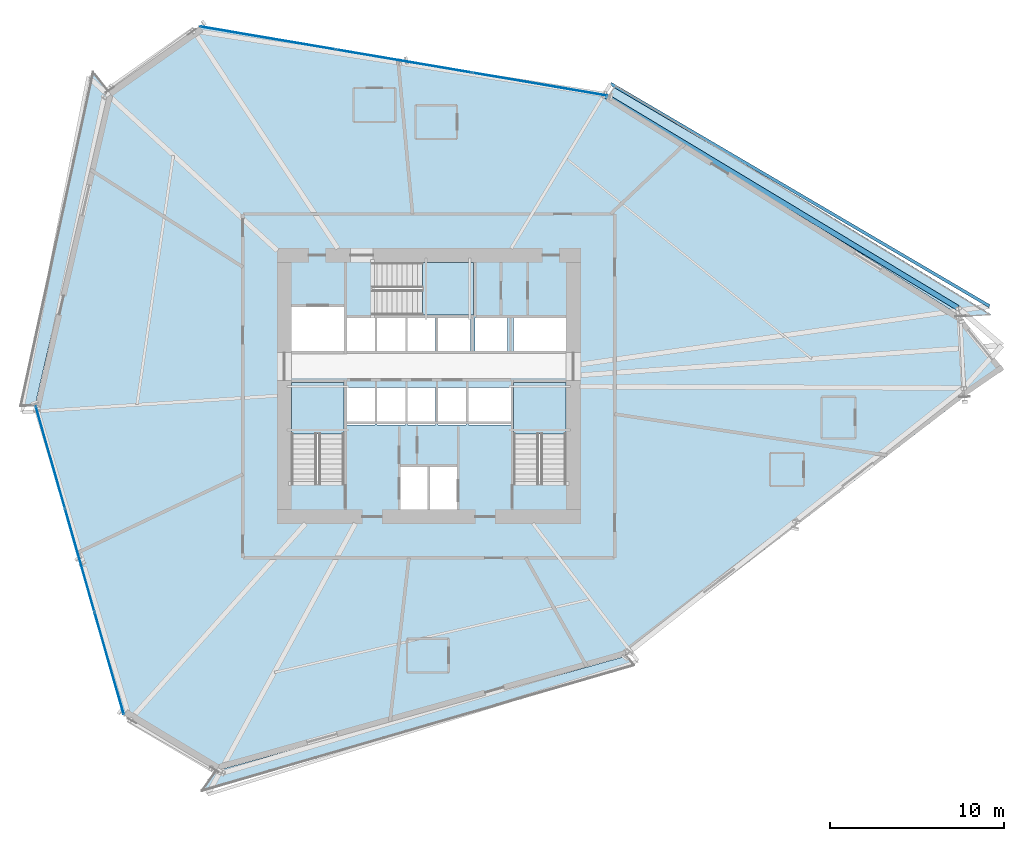
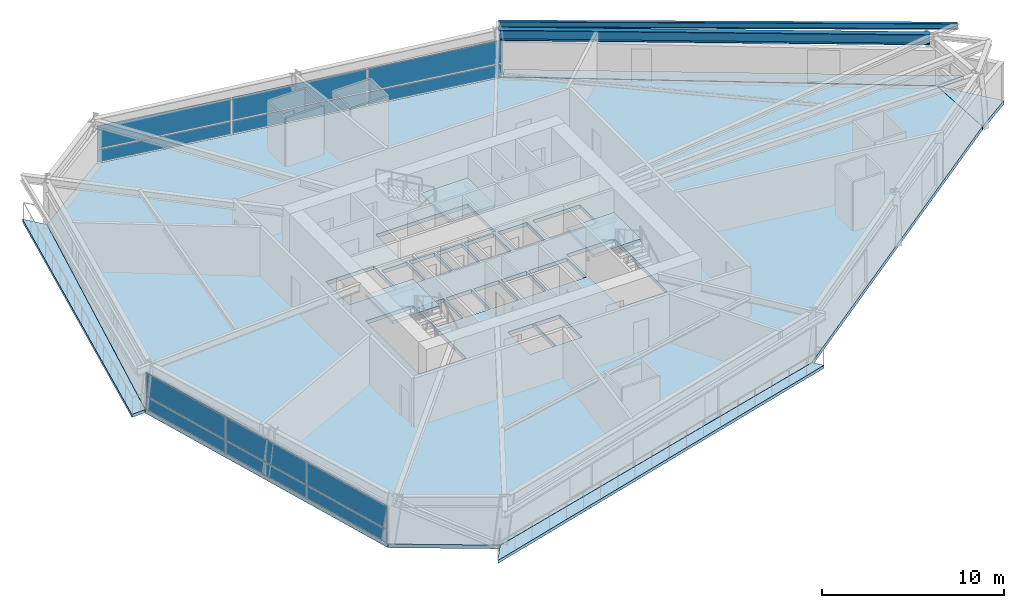
# One storey, part 11 of 21: 12 plates, 8 slabs, 2 beams, 5 elements without a shape of their own.
"""IFC4 building model written with IfcOpenShell, lengths in metres."""

from ifc_helpers import new_model, si_unit, direction, frame, origin, origin_2d, place, context, subcontext, project, spatial, polyline, rectangle, i_section, outline, extrude, source, transform, mapped, material, layer, layer_set, material_profile, profile_set, type_object, element, aggregate, save


model = new_model("IFC4")

# Units and contexts
model_context = context("Model", 3, precision=1e-05, world=origin(), true_north=direction((0.0, 1.0)))
body_context = subcontext(model_context, "Body", "Model", "MODEL_VIEW")
ifc_project = project(units=[si_unit("LENGTHUNIT", "METRE"), si_unit("AREAUNIT", "SQUARE_METRE"), si_unit("VOLUMEUNIT", "CUBIC_METRE"), si_unit("PLANEANGLEUNIT", "RADIAN"), si_unit("MASSUNIT", "GRAM", prefix="KILO")], contexts=[model_context])

# Site, building, storey
site_placement = place(None, origin())
site = spatial("IfcSite", under=ifc_project, at=site_placement, CompositionType="ELEMENT")
building_placement = place(site_placement, origin())
building = spatial("IfcBuilding", under=site, at=building_placement, Name="Olszyna Solenne Hotel", CompositionType="ELEMENT")
storey_placement = place(building_placement, frame((0.0, 0.0, 47.050048828125)))
storey = spatial("IfcBuildingStorey", under=building, at=storey_placement, Name="L11", CompositionType="ELEMENT", Elevation=47.050048828125)

# Beams
ifc_material_1 = material(Name="Steel S355J2", Category="steel")
ifc_material_profile_1 = material_profile(ifc_material_1, i_section(OverallWidth=0.300048828125, OverallDepth=0.699951171875, WebThickness=0.01708984375, FlangeThickness=0.031982421875, at=origin_2d()), Name="HEB 700", Category="load-bearing")
ifc_profile_set_1 = profile_set([ifc_material_profile_1], Name="Steel S355J2")
beam_type_1 = type_object("IfcBeamType", Name="BM-S1", PredefinedType="BEAM", material=ifc_profile_set_1)
shared_shape_1 = source(origin(), body_context, "Body", "SweptSolid", [
    extrude(i_section(OverallWidth=0.300048828125, OverallDepth=0.699951171875, WebThickness=0.01708984375, FlangeThickness=0.031982421875, at=origin_2d()), origin(), (0.0, 0.0, 1.0), 23.746826171875),
])
beam_1_placement = place(storey_placement, frame((68.444580078125, 31.101806640625, 2.949951171875), z_axis=(-0.856692696932, 0.515827125134, 0.0), x_axis=(-0.515827125134, -0.856692696932, 0.0)))
element("IfcBeam", 1, at=beam_1_placement, inside=storey, type_object=beam_type_1, Name="Perimeter spandrel beam BM-S1 B-L11-0348", PredefinedType="BEAM", context=body_context, shape_type="MappedRepresentation", body=[
    mapped(shared_shape_1, transform((0.0, 0.0, 0.0), x_axis=(1.0, 0.0, 0.0), y_axis=(0.0, 1.0, 0.0), z_axis=(0.0, 0.0, 1.0), scale=1.0)),
])
ifc_material_profile_2 = material_profile(ifc_material_1, i_section(OverallWidth=0.179931640625, OverallDepth=0.39990234375, WebThickness=0.008544921875, FlangeThickness=0.013427734375, at=origin_2d()), Name="IPE 400", Category="load-bearing")
ifc_profile_set_2 = profile_set([ifc_material_profile_2], Name="Steel S355J2")
beam_type_2 = type_object("IfcBeamType", Name="BM-F5", PredefinedType="BEAM", material=ifc_profile_set_2)
shared_shape_2 = source(origin(), body_context, "Body", "SweptSolid", [
    extrude(i_section(OverallWidth=0.179931640625, OverallDepth=0.39990234375, WebThickness=0.008544921875, FlangeThickness=0.013427734375, at=origin_2d()), origin(), (0.0, 0.0, 1.0), 25.284423828125),
])
beam_2_placement = place(storey_placement, frame((70.2724609375, 31.19580078125, 3.099853515625), z_axis=(-0.862311024559, 0.506379005217, 0.0), x_axis=(-0.506379005217, -0.862311024559, 0.0)))
element("IfcBeam", 2, at=beam_2_placement, inside=storey, type_object=beam_type_2, Name="Loggia outer edge beam BM-F5 B-L11-0374", PredefinedType="BEAM", context=body_context, shape_type="MappedRepresentation", body=[
    mapped(shared_shape_2, transform((0.0, 0.0, 0.0), x_axis=(1.0, 0.0, 0.0), y_axis=(0.0, 1.0, 0.0), z_axis=(0.0, 0.0, 1.0), scale=1.0)),
])

# Stair, slab
ifc_material_2 = material(Name="Concrete C40/50", Category="concrete")
stair_type = type_object("IfcStairType", Name="STR-C1", PredefinedType="TWO_QUARTER_WINDING_STAIR", material=ifc_material_2)
stair_1_placement = place(storey_placement, origin())
stair_1 = element("IfcStair", 3, at=stair_1_placement, inside=storey, type_object=stair_type, Name="L11 ST1", PredefinedType="TWO_QUARTER_WINDING_STAIR")
ifc_layer_1 = layer(ifc_material_2, 0.18994140625, Name="Concrete C40/50")
ifc_layer_set_1 = layer_set([ifc_layer_1], Name="Concrete C40/50")
slab_type_1 = type_object("IfcSlabType", Name="SL-LN190", PredefinedType="LANDING", material=ifc_layer_set_1)
slab_1_placement = place(storey_placement, frame((0.0, 0.0, 1.574951171875)))
slab_1 = element("IfcSlab", 4, at=slab_1_placement, type_object=slab_type_1, Name="ST1 landing 1", PredefinedType="LANDING", context=body_context, shape_type="SweptSolid", body=[
    extrude(outline(polyline([(33.1201171875, 23.85009765625), (33.1201171875, 26.800048828125), (30.10009765625, 26.800048828125), (30.10009765625, 23.85009765625), (33.1201171875, 23.85009765625)])), origin(), (0.0, 0.0, 1.0), 0.199951171875),
])
aggregate(stair_1, [slab_1])

stair_2_placement = place(storey_placement, origin())
stair_2 = element("IfcStair", 5, at=stair_2_placement, inside=storey, type_object=stair_type, Name="L11 ST2", PredefinedType="TWO_QUARTER_WINDING_STAIR")
slab_2_placement = place(storey_placement, frame((0.0, 0.0, 1.574951171875)))
slab_2 = element("IfcSlab", 6, at=slab_2_placement, type_object=slab_type_1, Name="ST2 landing 1", PredefinedType="LANDING", context=body_context, shape_type="SweptSolid", body=[
    extrude(outline(polyline([(45.89990234375, 23.85009765625), (45.89990234375, 26.800048828125), (42.8798828125, 26.800048828125), (42.8798828125, 23.85009765625), (45.89990234375, 23.85009765625)])), origin(), (0.0, 0.0, 1.0), 0.199951171875),
])
aggregate(stair_2, [slab_2])

stair_3_placement = place(storey_placement, origin())
stair_3 = element("IfcStair", 7, at=stair_3_placement, inside=storey, type_object=stair_type, Name="L11 ST3", PredefinedType="TWO_QUARTER_WINDING_STAIR")
slab_3_placement = place(storey_placement, frame((0.0, 0.0, 1.574951171875)))
slab_3 = element("IfcSlab", 8, at=slab_3_placement, type_object=slab_type_1, Name="ST3 landing 1", PredefinedType="LANDING", context=body_context, shape_type="SweptSolid", body=[
    extrude(outline(polyline([(37.6298828125, 30.679931640625), (40.580078125, 30.679931640625), (40.580078125, 33.699951171875), (37.6298828125, 33.699951171875), (37.6298828125, 30.679931640625)])), origin(), (0.0, 0.0, 1.0), 0.199951171875),
])
aggregate(stair_3, [slab_3])

# Slabs
ifc_material_3 = material(Name="Precast concrete C45/55", Category="concrete")
ifc_layer_2 = layer(ifc_material_3, 0.199951171875, Name="Precast concrete C45/55")
ifc_layer_set_2 = layer_set([ifc_layer_2], Name="Precast concrete C45/55")
slab_type_2 = type_object("IfcSlabType", Name="SL-LOG200", PredefinedType="FLOOR", material=ifc_layer_set_2)
slab_4_placement = place(storey_placement, frame((0.0, 0.0, -0.199951171875)))
element("IfcSlab", 9, at=slab_4_placement, inside=storey, type_object=slab_type_2, Name="Exterior loggia balcony slab SL-L11-LG1", PredefinedType="FLOOR", context=body_context, shape_type="SweptSolid", body=[
    extrude(outline(polyline([(48.359619140625, 43.311767578125), (68.613525390625, 30.625732421875), (68.614990234375, 30.624755859375), (68.6162109375, 30.623779296875), (68.6171875, 30.62255859375), (68.624267578125, 30.614013671875), (70.384033203125, 30.7099609375), (48.78076171875, 43.909912109375), (48.359619140625, 43.311767578125)])), origin(), (0.0, 0.0, 1.0), 0.199951171875),
])
slab_5_placement = place(storey_placement, frame((0.0, 0.0, -0.199951171875)))
element("IfcSlab", 10, at=slab_5_placement, inside=storey, type_object=slab_type_2, Name="Exterior loggia balcony slab SL-L11-LG2", PredefinedType="FLOOR", context=body_context, shape_type="SweptSolid", body=[
    extrude(outline(polyline([(15.343505859375, 25.500244140625), (15.343505859375, 25.50146484375), (15.343505859375, 25.5029296875), (15.34375, 25.50439453125), (19.534912109375, 43.59228515625), (19.535400390625, 43.59375), (19.535888671875, 43.59521484375), (19.53662109375, 43.5966796875), (19.53759765625, 43.597900390625), (19.53857421875, 43.59912109375), (19.539794921875, 43.60009765625), (19.5400390625, 43.6005859375), (18.630615234375, 44.712890625), (14.46923828125, 25.452392578125), (15.343505859375, 25.500244140625)])), origin(), (0.0, 0.0, 1.0), 0.199951171875),
])
slab_6_placement = place(storey_placement, frame((0.0, 0.0, -0.199951171875)))
element("IfcSlab", 11, at=slab_6_placement, inside=storey, type_object=slab_type_2, Name="Exterior loggia balcony slab SL-L11-LG3", PredefinedType="FLOOR", context=body_context, shape_type="SweptSolid", body=[
    extrude(outline(polyline([(49.38525390625, 11.05615234375), (49.384765625, 11.055908203125), (49.3837890625, 11.05517578125), (49.38232421875, 11.054443359375), (49.381103515625, 11.0537109375), (49.379638671875, 11.053466796875), (25.764404296875, 4.44970703125), (25.762939453125, 4.44921875), (25.76123046875, 4.448974609375), (25.759765625, 4.448974609375), (25.75830078125, 4.44921875), (25.7568359375, 4.449462890625), (25.75537109375, 4.44970703125), (25.75390625, 4.450439453125), (25.752685546875, 4.451171875), (25.751708984375, 4.45166015625), (24.90087890625, 3.242919921875), (49.835205078125, 10.505615234375), (49.38525390625, 11.05615234375)])), origin(), (0.0, 0.0, 1.0), 0.199951171875),
])
ifc_material_4 = material(Name="Concrete C50/60", Category="concrete")
ifc_layer_3 = layer(ifc_material_4, 0.25, Name="Concrete C50/60")
ifc_layer_set_3 = layer_set([ifc_layer_3], Name="Concrete C50/60")
slab_type_3 = type_object("IfcSlabType", Name="SL-TW250", PredefinedType="FLOOR", material=ifc_layer_set_3)
slab_7_placement = place(storey_placement, frame((0.0, 0.0, -0.25)))
element("IfcSlab", 12, at=slab_7_placement, inside=storey, type_object=slab_type_3, Name="Floor slab SL-TW250 SL-L11-01", PredefinedType="FLOOR", context=body_context, shape_type="SweptSolid", body=[
    extrude(outline(polyline([(68.8359375, 25.9873046875), (68.605712890625, 30.613037109375), (48.35107421875, 43.29931640625), (24.7880859375, 47.29833984375), (19.549560546875, 43.5888671875), (15.3583984375, 25.5009765625), (20.460205078125, 7.6484375), (25.76025390625, 4.464111328125), (49.375732421875, 11.06787109375), (68.8359375, 25.9873046875)]), holes=[polyline([(30.10009765625, 20.949951171875), (33.1201171875, 20.949951171875), (33.1201171875, 26.800048828125), (30.10009765625, 26.800048828125), (30.10009765625, 20.949951171875)]), polyline([(42.8798828125, 20.949951171875), (45.89990234375, 20.949951171875), (45.89990234375, 26.800048828125), (42.8798828125, 26.800048828125), (42.8798828125, 20.949951171875)]), polyline([(34.72998046875, 30.679931640625), (40.580078125, 30.679931640625), (40.580078125, 33.699951171875), (34.72998046875, 33.699951171875), (34.72998046875, 30.679931640625)]), polyline([(36.340087890625, 19.5), (37.9599609375, 19.5), (37.9599609375, 21.9599609375), (36.340087890625, 21.9599609375), (36.340087890625, 19.5)]), polyline([(38.0400390625, 19.5), (39.659912109375, 19.5), (39.659912109375, 21.9599609375), (38.0400390625, 21.9599609375), (38.0400390625, 19.5)]), polyline([(30.10009765625, 28.60009765625), (33.1201171875, 28.60009765625), (33.1201171875, 31.159912109375), (30.10009765625, 31.159912109375), (30.10009765625, 28.60009765625)]), polyline([(33.280029296875, 24.360107421875), (34.89990234375, 24.360107421875), (34.89990234375, 26.5), (33.280029296875, 26.5), (33.280029296875, 24.360107421875)]), polyline([(35.030029296875, 24.360107421875), (36.64990234375, 24.360107421875), (36.64990234375, 26.5), (35.030029296875, 26.5), (35.030029296875, 24.360107421875)]), polyline([(36.780029296875, 24.360107421875), (38.39990234375, 24.360107421875), (38.39990234375, 26.5), (36.780029296875, 26.5), (36.780029296875, 24.360107421875)]), polyline([(38.530029296875, 24.360107421875), (40.14990234375, 24.360107421875), (40.14990234375, 26.5), (38.530029296875, 26.5), (38.530029296875, 24.360107421875)]), polyline([(40.280029296875, 24.360107421875), (42.719970703125, 24.360107421875), (42.719970703125, 26.5), (40.280029296875, 26.5), (40.280029296875, 24.360107421875)]), polyline([(33.280029296875, 28.60009765625), (34.89990234375, 28.60009765625), (34.89990234375, 30.550048828125), (33.280029296875, 30.550048828125), (33.280029296875, 28.60009765625)]), polyline([(35.030029296875, 28.60009765625), (36.64990234375, 28.60009765625), (36.64990234375, 30.550048828125), (35.030029296875, 30.550048828125), (35.030029296875, 28.60009765625)]), polyline([(36.780029296875, 28.60009765625), (38.39990234375, 28.60009765625), (38.39990234375, 30.550048828125), (36.780029296875, 30.550048828125), (36.780029296875, 28.60009765625)]), polyline([(38.530029296875, 28.60009765625), (40.389892578125, 28.60009765625), (40.389892578125, 30.550048828125), (38.530029296875, 30.550048828125), (38.530029296875, 28.60009765625)]), polyline([(40.659912109375, 28.60009765625), (42.52001953125, 28.60009765625), (42.52001953125, 30.550048828125), (40.659912109375, 30.550048828125), (40.659912109375, 28.60009765625)]), polyline([(42.8798828125, 28.60009765625), (45.89990234375, 28.60009765625), (45.89990234375, 30.550048828125), (42.8798828125, 30.550048828125), (42.8798828125, 28.60009765625)])]), origin(), (0.0, 0.0, 1.0), 0.25),
])
slab_8_placement = place(storey_placement, frame((0.0, 0.0, -0.25)))
element("IfcSlab", 13, at=slab_8_placement, inside=storey, type_object=slab_type_3, Name="Faceted glass-prism floor slab SL-L11-PR", PredefinedType="FLOOR", context=body_context, shape_type="SweptSolid", body=[
    extrude(outline(polyline([(68.6162109375, 30.60009765625), (68.845703125, 25.993896484375), (71.111083984375, 27.552001953125), (68.6162109375, 30.60009765625)])), origin(), (0.0, 0.0, 1.0), 0.25),
])

# Curtain wall, plates
ifc_material_5 = material(Name="Anodised bronze aluminium", Category="aluminium")
curtain_wall_type = type_object("IfcCurtainWallType", Name="CW-SYS-2", PredefinedType="NOTDEFINED", material=ifc_material_5)
curtain_wall_1_placement = place(storey_placement, origin())
curtain_wall_1 = element("IfcCurtainWall", 14, at=curtain_wall_1_placement, inside=storey, type_object=curtain_wall_type, Name="Unitised curtain wall CW-SYS-2 CW-L11-01", PredefinedType="NOTDEFINED")
ifc_material_6 = material(Name="Terracotta cladding", Category="masonry")
plate_type_1 = type_object("IfcPlateType", Name="PN-SP1", PredefinedType="CURTAIN_PANEL", material=ifc_material_6)
shared_shape_3 = source(origin(), body_context, "Body", "SweptSolid", [
    extrude(rectangle(XDim=6.07666015625, YDim=0.035888671875, at=origin_2d()), origin(), (0.0, 0.0, 1.0), 0.83740234375),
])
plate_1_placement = place(storey_placement, frame((16.2138671875, 22.507568359375, 0.074951171875), z_axis=(0.0, 0.0, 1.0), x_axis=(0.274775189179, -0.961508499917, 0.0)))
plate_1 = element("IfcPlate", 15, at=plate_1_placement, type_object=plate_type_1, Name="Curtain-wall panel PN-SP1 CP-L11-01-01", PredefinedType="CURTAIN_PANEL", context=body_context, shape_type="MappedRepresentation", body=[
    mapped(shared_shape_3, transform((0.0, 0.0, 0.0), x_axis=(1.0, 0.0, 0.0), y_axis=(0.0, 1.0, 0.0), z_axis=(0.0, 0.0, 1.0), scale=1.0)),
])
plate_2_placement = place(storey_placement, frame((19.604736328125, 10.641845703125, 0.074951171875), z_axis=(0.0, 0.0, 1.0), x_axis=(0.274775189179, -0.961508499917, 0.0)))
plate_2 = element("IfcPlate", 16, at=plate_2_placement, type_object=plate_type_1, Name="Curtain-wall panel PN-SP1 CP-L11-01-05", PredefinedType="CURTAIN_PANEL", context=body_context, shape_type="MappedRepresentation", body=[
    mapped(shared_shape_3, transform((0.0, 0.0, 0.0), x_axis=(1.0, 0.0, 0.0), y_axis=(0.0, 1.0, 0.0), z_axis=(0.0, 0.0, 1.0), scale=1.0)),
])
ifc_material_7 = material(Name="Low-E triple glazing", Category="glass")
plate_type_2 = type_object("IfcPlateType", Name="PN-GL1", PredefinedType="CURTAIN_PANEL", material=ifc_material_7)
shared_shape_4 = source(origin(), body_context, "Body", "SweptSolid", [
    extrude(rectangle(XDim=6.07666015625, YDim=0.035888671875, at=origin_2d()), origin(), (0.0, 0.0, 1.0), 1.529541015625),
])
plate_3_placement = place(storey_placement, frame((16.2138671875, 22.507568359375, 0.9873046875), z_axis=(0.0, 0.0, 1.0), x_axis=(0.274775189179, -0.961508499917, 0.0)))
plate_3 = element("IfcPlate", 17, at=plate_3_placement, type_object=plate_type_2, Name="Curtain-wall panel PN-GL1 CP-L11-01-02", PredefinedType="CURTAIN_PANEL", context=body_context, shape_type="MappedRepresentation", body=[
    mapped(shared_shape_4, transform((0.0, 0.0, 0.0), x_axis=(1.0, 0.0, 0.0), y_axis=(0.0, 1.0, 0.0), z_axis=(0.0, 0.0, 1.0), scale=1.0)),
])
plate_4_placement = place(storey_placement, frame((19.604736328125, 10.641845703125, 0.9873046875), z_axis=(0.0, 0.0, 1.0), x_axis=(0.274775189179, -0.961508499917, 0.0)))
plate_4 = element("IfcPlate", 18, at=plate_4_placement, type_object=plate_type_2, Name="Curtain-wall panel PN-GL1 CP-L11-01-06", PredefinedType="CURTAIN_PANEL", context=body_context, shape_type="MappedRepresentation", body=[
    mapped(shared_shape_4, transform((0.0, 0.0, 0.0), x_axis=(1.0, 0.0, 0.0), y_axis=(0.0, 1.0, 0.0), z_axis=(0.0, 0.0, 1.0), scale=1.0)),
])
shared_shape_5 = source(origin(), body_context, "Body", "SweptSolid", [
    extrude(rectangle(XDim=6.114013671875, YDim=0.035888671875, at=origin_2d()), origin(), (0.0, 0.0, 1.0), 0.83740234375),
])
plate_5_placement = place(storey_placement, frame((17.9091796875, 16.57470703125, 0.074951171875), z_axis=(0.0, 0.0, 1.0), x_axis=(0.274775189179, -0.961508499917, 0.0)))
plate_5 = element("IfcPlate", 19, at=plate_5_placement, type_object=plate_type_1, Name="Curtain-wall panel PN-SP1 CP-L11-01-03", PredefinedType="CURTAIN_PANEL", context=body_context, shape_type="MappedRepresentation", body=[
    mapped(shared_shape_5, transform((0.0, 0.0, 0.0), x_axis=(1.0, 0.0, 0.0), y_axis=(0.0, 1.0, 0.0), z_axis=(0.0, 0.0, 1.0), scale=1.0)),
])
shared_shape_6 = source(origin(), body_context, "Body", "SweptSolid", [
    extrude(rectangle(XDim=6.114013671875, YDim=0.035888671875, at=origin_2d()), origin(), (0.0, 0.0, 1.0), 1.529541015625),
])
plate_6_placement = place(storey_placement, frame((17.9091796875, 16.57470703125, 0.9873046875), z_axis=(0.0, 0.0, 1.0), x_axis=(0.274775189179, -0.961508499917, 0.0)))
plate_6 = element("IfcPlate", 20, at=plate_6_placement, type_object=plate_type_2, Name="Curtain-wall panel PN-GL1 CP-L11-01-04", PredefinedType="CURTAIN_PANEL", context=body_context, shape_type="MappedRepresentation", body=[
    mapped(shared_shape_6, transform((0.0, 0.0, 0.0), x_axis=(1.0, 0.0, 0.0), y_axis=(0.0, 1.0, 0.0), z_axis=(0.0, 0.0, 1.0), scale=1.0)),
])
aggregate(curtain_wall_1, [plate_1, plate_3, plate_5, plate_6, plate_2, plate_4])

curtain_wall_2_placement = place(storey_placement, origin())
curtain_wall_2 = element("IfcCurtainWall", 21, at=curtain_wall_2_placement, inside=storey, type_object=curtain_wall_type, Name="Unitised curtain wall CW-SYS-2 CW-L11-02", PredefinedType="NOTDEFINED")
shared_shape_7 = source(origin(), body_context, "Body", "SweptSolid", [
    extrude(rectangle(XDim=7.85400390625, YDim=0.035888671875, at=origin_2d()), origin(), (0.0, 0.0, 1.0), 0.83740234375),
])
plate_7_placement = place(storey_placement, frame((28.73388671875, 46.628662109375, 0.074951171875), z_axis=(0.0, 0.0, 1.0), x_axis=(0.98590265241, -0.167319932978, 0.0)))
plate_7 = element("IfcPlate", 22, at=plate_7_placement, type_object=plate_type_1, Name="Curtain-wall panel PN-SP1 CP-L11-02-01", PredefinedType="CURTAIN_PANEL", context=body_context, shape_type="MappedRepresentation", body=[
    mapped(shared_shape_7, transform((0.0, 0.0, 0.0), x_axis=(1.0, 0.0, 0.0), y_axis=(0.0, 1.0, 0.0), z_axis=(0.0, 0.0, 1.0), scale=1.0)),
])
plate_8_placement = place(storey_placement, frame((44.4052734375, 43.968994140625, 0.074951171875), z_axis=(0.0, 0.0, 1.0), x_axis=(0.98590265241, -0.167319932978, 0.0)))
plate_8 = element("IfcPlate", 23, at=plate_8_placement, type_object=plate_type_1, Name="Curtain-wall panel PN-SP1 CP-L11-02-05", PredefinedType="CURTAIN_PANEL", context=body_context, shape_type="MappedRepresentation", body=[
    mapped(shared_shape_7, transform((0.0, 0.0, 0.0), x_axis=(1.0, 0.0, 0.0), y_axis=(0.0, 1.0, 0.0), z_axis=(0.0, 0.0, 1.0), scale=1.0)),
])
shared_shape_8 = source(origin(), body_context, "Body", "SweptSolid", [
    extrude(rectangle(XDim=7.85400390625, YDim=0.035888671875, at=origin_2d()), origin(), (0.0, 0.0, 1.0), 1.529541015625),
])
plate_9_placement = place(storey_placement, frame((28.73388671875, 46.628662109375, 0.9873046875), z_axis=(0.0, 0.0, 1.0), x_axis=(0.98590265241, -0.167319932978, 0.0)))
plate_9 = element("IfcPlate", 24, at=plate_9_placement, type_object=plate_type_2, Name="Curtain-wall panel PN-GL1 CP-L11-02-02", PredefinedType="CURTAIN_PANEL", context=body_context, shape_type="MappedRepresentation", body=[
    mapped(shared_shape_8, transform((0.0, 0.0, 0.0), x_axis=(1.0, 0.0, 0.0), y_axis=(0.0, 1.0, 0.0), z_axis=(0.0, 0.0, 1.0), scale=1.0)),
])
plate_10_placement = place(storey_placement, frame((44.4052734375, 43.968994140625, 0.9873046875), z_axis=(0.0, 0.0, 1.0), x_axis=(0.98590265241, -0.167319932978, 0.0)))
plate_10 = element("IfcPlate", 25, at=plate_10_placement, type_object=plate_type_2, Name="Curtain-wall panel PN-GL1 CP-L11-02-06", PredefinedType="CURTAIN_PANEL", context=body_context, shape_type="MappedRepresentation", body=[
    mapped(shared_shape_8, transform((0.0, 0.0, 0.0), x_axis=(1.0, 0.0, 0.0), y_axis=(0.0, 1.0, 0.0), z_axis=(0.0, 0.0, 1.0), scale=1.0)),
])
shared_shape_9 = source(origin(), body_context, "Body", "SweptSolid", [
    extrude(rectangle(XDim=7.8916015625, YDim=0.035888671875, at=origin_2d()), origin(), (0.0, 0.0, 1.0), 0.83740234375),
])
plate_11_placement = place(storey_placement, frame((36.569580078125, 45.298828125, 0.074951171875), z_axis=(0.0, 0.0, 1.0), x_axis=(0.98590265241, -0.167319932978, 0.0)))
plate_11 = element("IfcPlate", 26, at=plate_11_placement, type_object=plate_type_1, Name="Curtain-wall panel PN-SP1 CP-L11-02-03", PredefinedType="CURTAIN_PANEL", context=body_context, shape_type="MappedRepresentation", body=[
    mapped(shared_shape_9, transform((0.0, 0.0, 0.0), x_axis=(1.0, 0.0, 0.0), y_axis=(0.0, 1.0, 0.0), z_axis=(0.0, 0.0, 1.0), scale=1.0)),
])
shared_shape_10 = source(origin(), body_context, "Body", "SweptSolid", [
    extrude(rectangle(XDim=7.8916015625, YDim=0.035888671875, at=origin_2d()), origin(), (0.0, 0.0, 1.0), 1.529541015625),
])
plate_12_placement = place(storey_placement, frame((36.569580078125, 45.298828125, 0.9873046875), z_axis=(0.0, 0.0, 1.0), x_axis=(0.98590265241, -0.167319932978, 0.0)))
plate_12 = element("IfcPlate", 27, at=plate_12_placement, type_object=plate_type_2, Name="Curtain-wall panel PN-GL1 CP-L11-02-04", PredefinedType="CURTAIN_PANEL", context=body_context, shape_type="MappedRepresentation", body=[
    mapped(shared_shape_10, transform((0.0, 0.0, 0.0), x_axis=(1.0, 0.0, 0.0), y_axis=(0.0, 1.0, 0.0), z_axis=(0.0, 0.0, 1.0), scale=1.0)),
])
aggregate(curtain_wall_2, [plate_7, plate_9, plate_11, plate_12, plate_8, plate_10])

save(model, "model.ifc")
